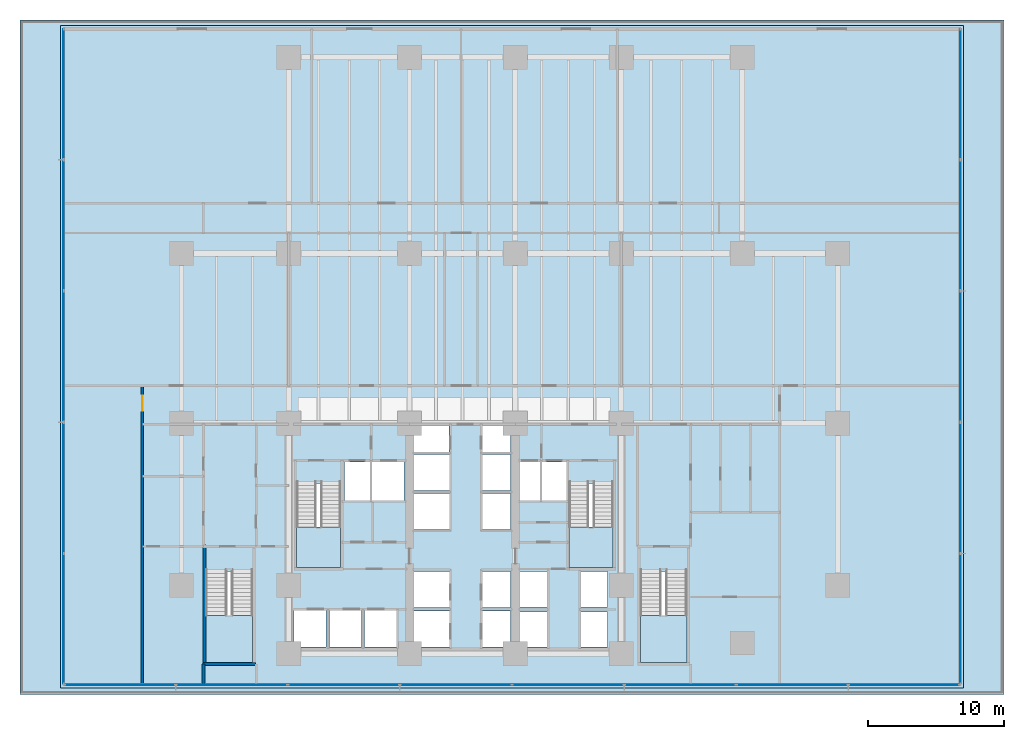
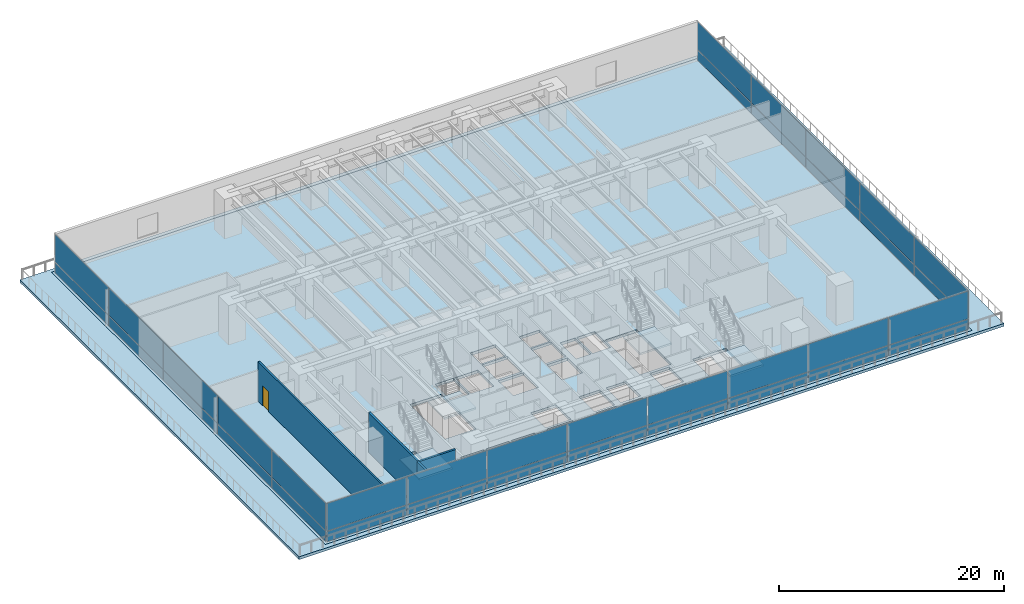
# One storey, part 8 of 24: 36 plates, 6 slabs, 4 walls, 1 door, 1 opening, 7 elements without a shape of their own.
"""IFC4 building model written with IfcOpenShell, lengths in metres."""

from ifc_helpers import new_model, si_unit, direction, frame, frame_2d, origin, origin_2d, place, context, subcontext, project, spatial, polyline, rectangle, outline, extrude, material, layer, layer_set, type_object, element, fill, aggregate, save


model = new_model("IFC4")

# Units and contexts
model_context = context("Model", 3, precision=1e-05, world=origin(), true_north=direction((0.0, 1.0)))
body_context = subcontext(model_context, "Body", "Model", "MODEL_VIEW")
ifc_project = project(units=[si_unit("LENGTHUNIT", "METRE"), si_unit("AREAUNIT", "SQUARE_METRE"), si_unit("VOLUMEUNIT", "CUBIC_METRE"), si_unit("PLANEANGLEUNIT", "RADIAN"), si_unit("MASSUNIT", "GRAM", prefix="KILO")], contexts=[model_context])

# Site, building, storey
site_placement = place(None, origin())
site = spatial("IfcSite", under=ifc_project, at=site_placement, CompositionType="ELEMENT")
building_placement = place(site_placement, origin())
building = spatial("IfcBuilding", under=site, at=building_placement, Name="Qalmaran Belvedere Hotel", CompositionType="ELEMENT")
storey_placement = place(building_placement, frame((0.0, 0.0, 14.60009765625)))
storey = spatial("IfcBuildingStorey", under=building, at=storey_placement, Name="L03", CompositionType="ELEMENT", Elevation=14.60009765625)

# Curtain wall, plates
ifc_material_1 = material(Name="Anodised Bronze Aluminium", Category="aluminium")
ifc_layer_1 = layer(ifc_material_1, 0.219970703125, Name="Anodised Bronze Aluminium")
ifc_layer_set_1 = layer_set([ifc_layer_1], Name="Anodised Bronze Aluminium")
curtain_wall_type = type_object("IfcCurtainWallType", Name="CW1-PODIUM-BRONZE", PredefinedType="NOTDEFINED", material=ifc_layer_set_1)
curtain_wall_1_placement = place(storey_placement, origin())
curtain_wall_1 = element("IfcCurtainWall", 1, at=curtain_wall_1_placement, inside=storey, type_object=curtain_wall_type, Name="L03 Curtain Wall CW1", PredefinedType="NOTDEFINED")
ifc_material_2 = material(Name="Anodised Bronze Spandrel Panel")
ifc_layer_2 = layer(ifc_material_2, 0.035888671875, Name="Anodised Bronze Spandrel Panel")
ifc_layer_set_2 = layer_set([ifc_layer_2], Name="Anodised Bronze Spandrel Panel")
plate_type_1 = type_object("IfcPlateType", Name="CWP-SPANDREL-36", PredefinedType="CURTAIN_PANEL", material=ifc_layer_set_2)
plate_1_placement = place(storey_placement, frame((7.867431640625, 1.219970703125, 0.06982421875), z_axis=(0.0, 0.0, 1.0), x_axis=(1.0, 0.0, 0.0)))
plate_1 = element("IfcPlate", 2, at=plate_1_placement, type_object=plate_type_1, Name="CW1 panel 1.1", PredefinedType="CURTAIN_PANEL", context=body_context, shape_type="SweptSolid", body=[
    extrude(rectangle(XDim=8.14501953125, YDim=0.035888671875, at=origin_2d()), origin(), (0.0, 0.0, 1.0), 1.09912109375),
])
plate_2_placement = place(storey_placement, frame((16.106201171875, 1.219970703125, 0.06982421875), z_axis=(0.0, 0.0, 1.0), x_axis=(1.0, 0.0, 0.0)))
plate_2 = element("IfcPlate", 3, at=plate_2_placement, type_object=plate_type_1, Name="CW1 panel 2.1", PredefinedType="CURTAIN_PANEL", context=body_context, shape_type="SweptSolid", body=[
    extrude(rectangle(XDim=8.1826171875, YDim=0.035888671875, at=origin_2d()), origin(), (0.0, 0.0, 1.0), 1.09912109375),
])
plate_3_placement = place(storey_placement, frame((24.36376953125, 1.219970703125, 0.06982421875), z_axis=(0.0, 0.0, 1.0), x_axis=(1.0, 0.0, 0.0)))
plate_3 = element("IfcPlate", 4, at=plate_3_placement, type_object=plate_type_1, Name="CW1 panel 3.1", PredefinedType="CURTAIN_PANEL", context=body_context, shape_type="SweptSolid", body=[
    extrude(rectangle(XDim=8.1826171875, YDim=0.035888671875, at=origin_2d()), origin(), (0.0, 0.0, 1.0), 1.09912109375),
])
plate_4_placement = place(storey_placement, frame((32.621337890625, 1.219970703125, 0.06982421875), z_axis=(0.0, 0.0, 1.0), x_axis=(1.0, 0.0, 0.0)))
plate_4 = element("IfcPlate", 5, at=plate_4_placement, type_object=plate_type_1, Name="CW1 panel 4.1", PredefinedType="CURTAIN_PANEL", context=body_context, shape_type="SweptSolid", body=[
    extrude(rectangle(XDim=8.1826171875, YDim=0.035888671875, at=origin_2d()), origin(), (0.0, 0.0, 1.0), 1.09912109375),
])
plate_5_placement = place(storey_placement, frame((40.878662109375, 1.219970703125, 0.06982421875), z_axis=(0.0, 0.0, 1.0), x_axis=(1.0, 0.0, 0.0)))
plate_5 = element("IfcPlate", 6, at=plate_5_placement, type_object=plate_type_1, Name="CW1 panel 5.1", PredefinedType="CURTAIN_PANEL", context=body_context, shape_type="SweptSolid", body=[
    extrude(rectangle(XDim=8.1826171875, YDim=0.035888671875, at=origin_2d()), origin(), (0.0, 0.0, 1.0), 1.09912109375),
])
plate_6_placement = place(storey_placement, frame((49.13623046875, 1.219970703125, 0.06982421875), z_axis=(0.0, 0.0, 1.0), x_axis=(1.0, 0.0, 0.0)))
plate_6 = element("IfcPlate", 7, at=plate_6_placement, type_object=plate_type_1, Name="CW1 panel 6.1", PredefinedType="CURTAIN_PANEL", context=body_context, shape_type="SweptSolid", body=[
    extrude(rectangle(XDim=8.1826171875, YDim=0.035888671875, at=origin_2d()), origin(), (0.0, 0.0, 1.0), 1.09912109375),
])
plate_7_placement = place(storey_placement, frame((57.393798828125, 1.219970703125, 0.06982421875), z_axis=(0.0, 0.0, 1.0), x_axis=(1.0, 0.0, 0.0)))
plate_7 = element("IfcPlate", 8, at=plate_7_placement, type_object=plate_type_1, Name="CW1 panel 7.1", PredefinedType="CURTAIN_PANEL", context=body_context, shape_type="SweptSolid", body=[
    extrude(rectangle(XDim=8.1826171875, YDim=0.035888671875, at=origin_2d()), origin(), (0.0, 0.0, 1.0), 1.09912109375),
])
plate_8_placement = place(storey_placement, frame((65.632568359375, 1.219970703125, 0.06982421875), z_axis=(0.0, 0.0, 1.0), x_axis=(1.0, 0.0, 0.0)))
plate_8 = element("IfcPlate", 9, at=plate_8_placement, type_object=plate_type_1, Name="CW1 panel 8.1", PredefinedType="CURTAIN_PANEL", context=body_context, shape_type="SweptSolid", body=[
    extrude(rectangle(XDim=8.14501953125, YDim=0.035888671875, at=origin_2d()), origin(), (0.0, 0.0, 1.0), 1.09912109375),
])

curtain_wall_2_placement = place(storey_placement, origin())
curtain_wall_2 = element("IfcCurtainWall", 10, at=curtain_wall_2_placement, inside=storey, type_object=curtain_wall_type, Name="L03 Curtain Wall CW1", PredefinedType="NOTDEFINED")
plate_9_placement = place(storey_placement, frame((69.780029296875, 6.07470703125, 0.06982421875), z_axis=(0.0, 0.0, 1.0), x_axis=(0.0, 1.0, 0.0)))
plate_9 = element("IfcPlate", 11, at=plate_9_placement, type_object=plate_type_1, Name="CW1 panel 1.1", PredefinedType="CURTAIN_PANEL", context=body_context, shape_type="SweptSolid", body=[
    extrude(rectangle(XDim=9.5595703125, YDim=0.035888671875, at=origin_2d()), origin(), (0.0, 0.0, 1.0), 1.09912109375),
])
plate_10_placement = place(storey_placement, frame((69.780029296875, 15.72802734375, 0.06982421875), z_axis=(0.0, 0.0, 1.0), x_axis=(0.0, 1.0, 0.0)))
plate_10 = element("IfcPlate", 12, at=plate_10_placement, type_object=plate_type_1, Name="CW1 panel 2.1", PredefinedType="CURTAIN_PANEL", context=body_context, shape_type="SweptSolid", body=[
    extrude(rectangle(XDim=9.596923828125, YDim=0.035888671875, at=origin_2d()), origin(), (0.0, 0.0, 1.0), 1.09912109375),
])
plate_11_placement = place(storey_placement, frame((69.780029296875, 25.39990234375, 0.06982421875), z_axis=(0.0, 0.0, 1.0), x_axis=(0.0, 1.0, 0.0)))
plate_11 = element("IfcPlate", 13, at=plate_11_placement, type_object=plate_type_1, Name="CW1 panel 3.1", PredefinedType="CURTAIN_PANEL", context=body_context, shape_type="SweptSolid", body=[
    extrude(rectangle(XDim=9.596923828125, YDim=0.035888671875, at=origin_2d()), origin(), (0.0, 0.0, 1.0), 1.09912109375),
])
plate_12_placement = place(storey_placement, frame((69.780029296875, 35.072021484375, 0.06982421875), z_axis=(0.0, 0.0, 1.0), x_axis=(0.0, 1.0, 0.0)))
plate_12 = element("IfcPlate", 14, at=plate_12_placement, type_object=plate_type_1, Name="CW1 panel 4.1", PredefinedType="CURTAIN_PANEL", context=body_context, shape_type="SweptSolid", body=[
    extrude(rectangle(XDim=9.596923828125, YDim=0.035888671875, at=origin_2d()), origin(), (0.0, 0.0, 1.0), 1.09912109375),
])
plate_13_placement = place(storey_placement, frame((69.780029296875, 44.725341796875, 0.06982421875), z_axis=(0.0, 0.0, 1.0), x_axis=(0.0, 1.0, 0.0)))
plate_13 = element("IfcPlate", 15, at=plate_13_placement, type_object=plate_type_1, Name="CW1 panel 5.1", PredefinedType="CURTAIN_PANEL", context=body_context, shape_type="SweptSolid", body=[
    extrude(rectangle(XDim=9.5595703125, YDim=0.035888671875, at=origin_2d()), origin(), (0.0, 0.0, 1.0), 1.09912109375),
])

curtain_wall_3_placement = place(storey_placement, origin())
curtain_wall_3 = element("IfcCurtainWall", 16, at=curtain_wall_3_placement, inside=storey, type_object=curtain_wall_type, Name="L03 Curtain Wall CW1", PredefinedType="NOTDEFINED")
plate_14_placement = place(storey_placement, frame((3.719970703125, 44.725341796875, 0.06982421875), z_axis=(0.0, 0.0, 1.0), x_axis=(0.0, -1.0, 0.0)))
plate_14 = element("IfcPlate", 17, at=plate_14_placement, type_object=plate_type_1, Name="CW1 panel 1.1", PredefinedType="CURTAIN_PANEL", context=body_context, shape_type="SweptSolid", body=[
    extrude(rectangle(XDim=9.5595703125, YDim=0.035888671875, at=origin_2d()), origin(), (0.0, 0.0, 1.0), 1.09912109375),
])
plate_15_placement = place(storey_placement, frame((3.719970703125, 35.072021484375, 0.06982421875), z_axis=(0.0, 0.0, 1.0), x_axis=(0.0, -1.0, 0.0)))
plate_15 = element("IfcPlate", 18, at=plate_15_placement, type_object=plate_type_1, Name="CW1 panel 2.1", PredefinedType="CURTAIN_PANEL", context=body_context, shape_type="SweptSolid", body=[
    extrude(rectangle(XDim=9.596923828125, YDim=0.035888671875, at=origin_2d()), origin(), (0.0, 0.0, 1.0), 1.09912109375),
])
plate_16_placement = place(storey_placement, frame((3.719970703125, 25.39990234375, 0.06982421875), z_axis=(0.0, 0.0, 1.0), x_axis=(0.0, -1.0, 0.0)))
plate_16 = element("IfcPlate", 19, at=plate_16_placement, type_object=plate_type_1, Name="CW1 panel 3.1", PredefinedType="CURTAIN_PANEL", context=body_context, shape_type="SweptSolid", body=[
    extrude(rectangle(XDim=9.596923828125, YDim=0.035888671875, at=origin_2d()), origin(), (0.0, 0.0, 1.0), 1.09912109375),
])
plate_17_placement = place(storey_placement, frame((3.719970703125, 15.72802734375, 0.06982421875), z_axis=(0.0, 0.0, 1.0), x_axis=(0.0, -1.0, 0.0)))
plate_17 = element("IfcPlate", 20, at=plate_17_placement, type_object=plate_type_1, Name="CW1 panel 4.1", PredefinedType="CURTAIN_PANEL", context=body_context, shape_type="SweptSolid", body=[
    extrude(rectangle(XDim=9.596923828125, YDim=0.035888671875, at=origin_2d()), origin(), (0.0, 0.0, 1.0), 1.09912109375),
])
plate_18_placement = place(storey_placement, frame((3.719970703125, 6.07470703125, 0.06982421875), z_axis=(0.0, 0.0, 1.0), x_axis=(0.0, -1.0, 0.0)))
plate_18 = element("IfcPlate", 21, at=plate_18_placement, type_object=plate_type_1, Name="CW1 panel 5.1", PredefinedType="CURTAIN_PANEL", context=body_context, shape_type="SweptSolid", body=[
    extrude(rectangle(XDim=9.5595703125, YDim=0.035888671875, at=origin_2d()), origin(), (0.0, 0.0, 1.0), 1.09912109375),
])

# Plate
ifc_material_3 = material(Name="Solar-Control Double Glazing", Category="glass")
ifc_layer_3 = layer(ifc_material_3, 0.028076171875, Name="Solar-Control Double Glazing")
ifc_layer_set_3 = layer_set([ifc_layer_3], Name="Solar-Control Double Glazing")
plate_type_2 = type_object("IfcPlateType", Name="CWP-VISION-28", PredefinedType="CURTAIN_PANEL", material=ifc_layer_set_3)
plate_19_placement = place(storey_placement, frame((7.867431640625, 1.219970703125, 1.23876953125), z_axis=(0.0, 0.0, 1.0), x_axis=(1.0, 0.0, 0.0)))
plate_19 = element("IfcPlate", 22, at=plate_19_placement, type_object=plate_type_2, Name="CW1 panel 1.2", PredefinedType="CURTAIN_PANEL", context=body_context, shape_type="SweptSolid", body=[
    extrude(rectangle(XDim=8.14501953125, YDim=0.028076171875, at=origin_2d()), origin(), (0.0, 0.0, 1.0), 2.990966796875),
])

plate_20_placement = place(storey_placement, frame((16.106201171875, 1.219970703125, 1.23876953125), z_axis=(0.0, 0.0, 1.0), x_axis=(1.0, 0.0, 0.0)))
plate_20 = element("IfcPlate", 23, at=plate_20_placement, type_object=plate_type_2, Name="CW1 panel 2.2", PredefinedType="CURTAIN_PANEL", context=body_context, shape_type="SweptSolid", body=[
    extrude(rectangle(XDim=8.1826171875, YDim=0.028076171875, at=origin_2d()), origin(), (0.0, 0.0, 1.0), 2.990966796875),
])

plate_21_placement = place(storey_placement, frame((24.36376953125, 1.219970703125, 1.23876953125), z_axis=(0.0, 0.0, 1.0), x_axis=(1.0, 0.0, 0.0)))
plate_21 = element("IfcPlate", 24, at=plate_21_placement, type_object=plate_type_2, Name="CW1 panel 3.2", PredefinedType="CURTAIN_PANEL", context=body_context, shape_type="SweptSolid", body=[
    extrude(rectangle(XDim=8.1826171875, YDim=0.028076171875, at=origin_2d()), origin(), (0.0, 0.0, 1.0), 2.990966796875),
])

plate_22_placement = place(storey_placement, frame((32.621337890625, 1.219970703125, 1.23876953125), z_axis=(0.0, 0.0, 1.0), x_axis=(1.0, 0.0, 0.0)))
plate_22 = element("IfcPlate", 25, at=plate_22_placement, type_object=plate_type_2, Name="CW1 panel 4.2", PredefinedType="CURTAIN_PANEL", context=body_context, shape_type="SweptSolid", body=[
    extrude(rectangle(XDim=8.1826171875, YDim=0.028076171875, at=origin_2d()), origin(), (0.0, 0.0, 1.0), 2.990966796875),
])

plate_23_placement = place(storey_placement, frame((40.878662109375, 1.219970703125, 1.23876953125), z_axis=(0.0, 0.0, 1.0), x_axis=(1.0, 0.0, 0.0)))
plate_23 = element("IfcPlate", 26, at=plate_23_placement, type_object=plate_type_2, Name="CW1 panel 5.2", PredefinedType="CURTAIN_PANEL", context=body_context, shape_type="SweptSolid", body=[
    extrude(rectangle(XDim=8.1826171875, YDim=0.028076171875, at=origin_2d()), origin(), (0.0, 0.0, 1.0), 2.990966796875),
])

plate_24_placement = place(storey_placement, frame((49.13623046875, 1.219970703125, 1.23876953125), z_axis=(0.0, 0.0, 1.0), x_axis=(1.0, 0.0, 0.0)))
plate_24 = element("IfcPlate", 27, at=plate_24_placement, type_object=plate_type_2, Name="CW1 panel 6.2", PredefinedType="CURTAIN_PANEL", context=body_context, shape_type="SweptSolid", body=[
    extrude(rectangle(XDim=8.1826171875, YDim=0.028076171875, at=origin_2d()), origin(), (0.0, 0.0, 1.0), 2.990966796875),
])

plate_25_placement = place(storey_placement, frame((57.393798828125, 1.219970703125, 1.23876953125), z_axis=(0.0, 0.0, 1.0), x_axis=(1.0, 0.0, 0.0)))
plate_25 = element("IfcPlate", 28, at=plate_25_placement, type_object=plate_type_2, Name="CW1 panel 7.2", PredefinedType="CURTAIN_PANEL", context=body_context, shape_type="SweptSolid", body=[
    extrude(rectangle(XDim=8.1826171875, YDim=0.028076171875, at=origin_2d()), origin(), (0.0, 0.0, 1.0), 2.990966796875),
])

plate_26_placement = place(storey_placement, frame((65.632568359375, 1.219970703125, 1.23876953125), z_axis=(0.0, 0.0, 1.0), x_axis=(1.0, 0.0, 0.0)))
plate_26 = element("IfcPlate", 29, at=plate_26_placement, type_object=plate_type_2, Name="CW1 panel 8.2", PredefinedType="CURTAIN_PANEL", context=body_context, shape_type="SweptSolid", body=[
    extrude(rectangle(XDim=8.14501953125, YDim=0.028076171875, at=origin_2d()), origin(), (0.0, 0.0, 1.0), 2.990966796875),
])

aggregate(curtain_wall_1, [plate_1, plate_19, plate_2, plate_20, plate_3, plate_21, plate_4, plate_22, plate_5, plate_23, plate_6, plate_24, plate_7, plate_25, plate_8, plate_26])

plate_27_placement = place(storey_placement, frame((69.780029296875, 6.07470703125, 1.23876953125), z_axis=(0.0, 0.0, 1.0), x_axis=(0.0, 1.0, 0.0)))
plate_27 = element("IfcPlate", 30, at=plate_27_placement, type_object=plate_type_2, Name="CW1 panel 1.2", PredefinedType="CURTAIN_PANEL", context=body_context, shape_type="SweptSolid", body=[
    extrude(rectangle(XDim=9.5595703125, YDim=0.028076171875, at=origin_2d()), origin(), (0.0, 0.0, 1.0), 2.990966796875),
])

plate_28_placement = place(storey_placement, frame((69.780029296875, 15.72802734375, 1.23876953125), z_axis=(0.0, 0.0, 1.0), x_axis=(0.0, 1.0, 0.0)))
plate_28 = element("IfcPlate", 31, at=plate_28_placement, type_object=plate_type_2, Name="CW1 panel 2.2", PredefinedType="CURTAIN_PANEL", context=body_context, shape_type="SweptSolid", body=[
    extrude(rectangle(XDim=9.596923828125, YDim=0.028076171875, at=origin_2d()), origin(), (0.0, 0.0, 1.0), 2.990966796875),
])

plate_29_placement = place(storey_placement, frame((69.780029296875, 25.39990234375, 1.23876953125), z_axis=(0.0, 0.0, 1.0), x_axis=(0.0, 1.0, 0.0)))
plate_29 = element("IfcPlate", 32, at=plate_29_placement, type_object=plate_type_2, Name="CW1 panel 3.2", PredefinedType="CURTAIN_PANEL", context=body_context, shape_type="SweptSolid", body=[
    extrude(rectangle(XDim=9.596923828125, YDim=0.028076171875, at=origin_2d()), origin(), (0.0, 0.0, 1.0), 2.990966796875),
])

plate_30_placement = place(storey_placement, frame((69.780029296875, 35.072021484375, 1.23876953125), z_axis=(0.0, 0.0, 1.0), x_axis=(0.0, 1.0, 0.0)))
plate_30 = element("IfcPlate", 33, at=plate_30_placement, type_object=plate_type_2, Name="CW1 panel 4.2", PredefinedType="CURTAIN_PANEL", context=body_context, shape_type="SweptSolid", body=[
    extrude(rectangle(XDim=9.596923828125, YDim=0.028076171875, at=origin_2d()), origin(), (0.0, 0.0, 1.0), 2.990966796875),
])

plate_31_placement = place(storey_placement, frame((69.780029296875, 44.725341796875, 1.23876953125), z_axis=(0.0, 0.0, 1.0), x_axis=(0.0, 1.0, 0.0)))
plate_31 = element("IfcPlate", 34, at=plate_31_placement, type_object=plate_type_2, Name="CW1 panel 5.2", PredefinedType="CURTAIN_PANEL", context=body_context, shape_type="SweptSolid", body=[
    extrude(rectangle(XDim=9.5595703125, YDim=0.028076171875, at=origin_2d()), origin(), (0.0, 0.0, 1.0), 2.990966796875),
])

aggregate(curtain_wall_2, [plate_9, plate_27, plate_10, plate_28, plate_11, plate_29, plate_12, plate_30, plate_13, plate_31])

plate_32_placement = place(storey_placement, frame((3.719970703125, 44.725341796875, 1.23876953125), z_axis=(0.0, 0.0, 1.0), x_axis=(0.0, -1.0, 0.0)))
plate_32 = element("IfcPlate", 35, at=plate_32_placement, type_object=plate_type_2, Name="CW1 panel 1.2", PredefinedType="CURTAIN_PANEL", context=body_context, shape_type="SweptSolid", body=[
    extrude(rectangle(XDim=9.5595703125, YDim=0.028076171875, at=origin_2d()), origin(), (0.0, 0.0, 1.0), 2.990966796875),
])

plate_33_placement = place(storey_placement, frame((3.719970703125, 35.072021484375, 1.23876953125), z_axis=(0.0, 0.0, 1.0), x_axis=(0.0, -1.0, 0.0)))
plate_33 = element("IfcPlate", 36, at=plate_33_placement, type_object=plate_type_2, Name="CW1 panel 2.2", PredefinedType="CURTAIN_PANEL", context=body_context, shape_type="SweptSolid", body=[
    extrude(rectangle(XDim=9.596923828125, YDim=0.028076171875, at=origin_2d()), origin(), (0.0, 0.0, 1.0), 2.990966796875),
])

plate_34_placement = place(storey_placement, frame((3.719970703125, 25.39990234375, 1.23876953125), z_axis=(0.0, 0.0, 1.0), x_axis=(0.0, -1.0, 0.0)))
plate_34 = element("IfcPlate", 37, at=plate_34_placement, type_object=plate_type_2, Name="CW1 panel 3.2", PredefinedType="CURTAIN_PANEL", context=body_context, shape_type="SweptSolid", body=[
    extrude(rectangle(XDim=9.596923828125, YDim=0.028076171875, at=origin_2d()), origin(), (0.0, 0.0, 1.0), 2.990966796875),
])

plate_35_placement = place(storey_placement, frame((3.719970703125, 15.72802734375, 1.23876953125), z_axis=(0.0, 0.0, 1.0), x_axis=(0.0, -1.0, 0.0)))
plate_35 = element("IfcPlate", 38, at=plate_35_placement, type_object=plate_type_2, Name="CW1 panel 4.2", PredefinedType="CURTAIN_PANEL", context=body_context, shape_type="SweptSolid", body=[
    extrude(rectangle(XDim=9.596923828125, YDim=0.028076171875, at=origin_2d()), origin(), (0.0, 0.0, 1.0), 2.990966796875),
])

plate_36_placement = place(storey_placement, frame((3.719970703125, 6.07470703125, 1.23876953125), z_axis=(0.0, 0.0, 1.0), x_axis=(0.0, -1.0, 0.0)))
plate_36 = element("IfcPlate", 39, at=plate_36_placement, type_object=plate_type_2, Name="CW1 panel 5.2", PredefinedType="CURTAIN_PANEL", context=body_context, shape_type="SweptSolid", body=[
    extrude(rectangle(XDim=9.5595703125, YDim=0.028076171875, at=origin_2d()), origin(), (0.0, 0.0, 1.0), 2.990966796875),
])

aggregate(curtain_wall_3, [plate_14, plate_32, plate_15, plate_33, plate_16, plate_34, plate_17, plate_35, plate_18, plate_36])

# Slab
ifc_material_4 = material(Name="Concrete C40/50", Category="concrete")
ifc_layer_4 = layer(ifc_material_4, 0.300048828125, Name="Concrete C40/50")
ifc_layer_set_4 = layer_set([ifc_layer_4], Name="Concrete C40/50")
slab_type_1 = type_object("IfcSlabType", Name="SLB-POD-300", PredefinedType="FLOOR", material=ifc_layer_set_4)
slab_1_placement = place(storey_placement, frame((0.0, 0.0, -0.300048828125)))
element("IfcSlab", 40, at=slab_1_placement, inside=storey, type_object=slab_type_1, Name="L03 Structural Floor Slab", PredefinedType="FLOOR", context=body_context, shape_type="SweptSolid", body=[
    extrude(outline(polyline([(3.5, 1.0), (70.0, 1.0), (70.0, 49.800048828125), (3.5, 49.800048828125), (3.5, 1.0)]), holes=[polyline([(20.8798828125, 9.85009765625), (24.1201171875, 9.85009765625), (24.1201171875, 16.0400390625), (20.8798828125, 16.0400390625), (20.8798828125, 9.85009765625)]), polyline([(40.9599609375, 9.85009765625), (44.199951171875, 9.85009765625), (44.199951171875, 16.0400390625), (40.9599609375, 16.0400390625), (40.9599609375, 9.85009765625)]), polyline([(14.199951171875, 2.85009765625), (17.639892578125, 2.85009765625), (17.639892578125, 9.550048828125), (14.199951171875, 9.550048828125), (14.199951171875, 2.85009765625)]), polyline([(46.199951171875, 2.85009765625), (49.639892578125, 2.85009765625), (49.639892578125, 9.550048828125), (46.199951171875, 9.550048828125), (46.199951171875, 2.85009765625)]), polyline([(29.544921875, 4.0), (32.14990234375, 4.0), (32.14990234375, 6.64990234375), (29.544921875, 6.64990234375), (29.544921875, 4.0)]), polyline([(29.544921875, 6.89990234375), (32.14990234375, 6.89990234375), (32.14990234375, 9.550048828125), (29.544921875, 9.550048828125), (29.544921875, 6.89990234375)]), polyline([(34.550048828125, 4.0), (36.655029296875, 4.0), (36.655029296875, 6.64990234375), (34.550048828125, 6.64990234375), (34.550048828125, 4.0)]), polyline([(34.550048828125, 6.89990234375), (36.655029296875, 6.89990234375), (36.655029296875, 9.550048828125), (34.550048828125, 9.550048828125), (34.550048828125, 6.89990234375)]), polyline([(29.544921875, 12.64990234375), (32.14990234375, 12.64990234375), (32.14990234375, 15.300048828125), (29.544921875, 15.300048828125), (29.544921875, 12.64990234375)]), polyline([(29.544921875, 15.550048828125), (32.14990234375, 15.550048828125), (32.14990234375, 18.199951171875), (29.544921875, 18.199951171875), (29.544921875, 15.550048828125)]), polyline([(34.550048828125, 12.64990234375), (36.655029296875, 12.64990234375), (36.655029296875, 15.300048828125), (34.550048828125, 15.300048828125), (34.550048828125, 12.64990234375)]), polyline([(34.550048828125, 15.550048828125), (36.655029296875, 15.550048828125), (36.655029296875, 18.199951171875), (34.550048828125, 18.199951171875), (34.550048828125, 15.550048828125)]), polyline([(37.300048828125, 4.0), (39.35009765625, 4.0), (39.35009765625, 6.60009765625), (37.300048828125, 6.60009765625), (37.300048828125, 4.0)]), polyline([(37.300048828125, 6.949951171875), (39.35009765625, 6.949951171875), (39.35009765625, 9.550048828125), (37.300048828125, 9.550048828125), (37.300048828125, 6.949951171875)]), polyline([(41.800048828125, 4.0), (43.800048828125, 4.0), (43.800048828125, 6.60009765625), (41.800048828125, 6.60009765625), (41.800048828125, 4.0)]), polyline([(41.800048828125, 6.949951171875), (43.800048828125, 6.949951171875), (43.800048828125, 9.550048828125), (41.800048828125, 9.550048828125), (41.800048828125, 6.949951171875)]), polyline([(20.699951171875, 4.0), (23.050048828125, 4.0), (23.050048828125, 6.699951171875), (20.699951171875, 6.699951171875), (20.699951171875, 4.0)]), polyline([(23.300048828125, 4.0), (25.64990234375, 4.0), (25.64990234375, 6.699951171875), (23.300048828125, 6.699951171875), (23.300048828125, 4.0)]), polyline([(25.89990234375, 4.0), (28.25, 4.0), (28.25, 6.699951171875), (25.89990234375, 6.699951171875), (25.89990234375, 4.0)]), polyline([(24.39990234375, 14.800048828125), (26.300048828125, 14.800048828125), (26.300048828125, 17.64990234375), (24.39990234375, 17.64990234375), (24.39990234375, 14.800048828125)]), polyline([(38.949951171875, 14.800048828125), (40.820068359375, 14.800048828125), (40.820068359375, 17.64990234375), (38.949951171875, 17.64990234375), (38.949951171875, 14.800048828125)]), polyline([(26.449951171875, 14.800048828125), (28.800048828125, 14.800048828125), (28.800048828125, 17.64990234375), (26.449951171875, 17.64990234375), (26.449951171875, 14.800048828125)]), polyline([(37.25, 14.800048828125), (38.800048828125, 14.800048828125), (38.800048828125, 17.64990234375), (37.25, 17.64990234375), (37.25, 14.800048828125)]), polyline([(29.544921875, 18.3798828125), (32.1201171875, 18.3798828125), (32.1201171875, 20.300048828125), (29.544921875, 20.300048828125), (29.544921875, 18.3798828125)]), polyline([(34.580078125, 18.3798828125), (36.655029296875, 18.3798828125), (36.655029296875, 20.300048828125), (34.580078125, 20.300048828125), (34.580078125, 18.3798828125)])]), origin(), (0.0, 0.0, 1.0), 0.300048828125),
])

# Stair, slab
stair_type_1 = type_object("IfcStairType", Name="STR-ST-1-1450-R1769", PredefinedType="HALF_TURN_STAIR", material=ifc_material_4)
stair_1_placement = place(storey_placement, origin())
stair_1 = element("IfcStair", 41, at=stair_1_placement, inside=storey, type_object=stair_type_1, Name="L03 West Core Exit Stair ST-1", PredefinedType="HALF_TURN_STAIR")
ifc_layer_5 = layer(ifc_material_4, 0.199951171875, Name="Concrete C40/50")
ifc_layer_set_5 = layer_set([ifc_layer_5], Name="Concrete C40/50")
slab_type_2 = type_object("IfcSlabType", Name="SLB-STAIR-LANDING-200", PredefinedType="LANDING", material=ifc_layer_set_5)
slab_2_placement = place(storey_placement, frame((0.0, 0.0, 2.099853515625)))
slab_2 = element("IfcSlab", 42, at=slab_2_placement, type_object=slab_type_2, Name="ST-1 landing 1", PredefinedType="LANDING", context=body_context, shape_type="SweptSolid", body=[
    extrude(outline(polyline([(20.8798828125, 12.830078125), (20.8798828125, 9.85009765625), (24.1201171875, 9.85009765625), (24.1201171875, 12.830078125), (20.8798828125, 12.830078125)])), origin(), (0.0, 0.0, 1.0), 0.199951171875),
])
aggregate(stair_1, [slab_2])

stair_type_2 = type_object("IfcStairType", Name="STR-ST-2-1450-R1769", PredefinedType="HALF_TURN_STAIR", material=ifc_material_4)
stair_2_placement = place(storey_placement, origin())
stair_2 = element("IfcStair", 43, at=stair_2_placement, inside=storey, type_object=stair_type_2, Name="L03 East Core Exit Stair ST-2", PredefinedType="HALF_TURN_STAIR")
slab_3_placement = place(storey_placement, frame((0.0, 0.0, 2.099853515625)))
slab_3 = element("IfcSlab", 44, at=slab_3_placement, type_object=slab_type_2, Name="ST-2 landing 1", PredefinedType="LANDING", context=body_context, shape_type="SweptSolid", body=[
    extrude(outline(polyline([(40.9599609375, 12.830078125), (40.9599609375, 9.85009765625), (44.199951171875, 9.85009765625), (44.199951171875, 12.830078125), (40.9599609375, 12.830078125)])), origin(), (0.0, 0.0, 1.0), 0.199951171875),
])
aggregate(stair_2, [slab_3])

stair_type_3 = type_object("IfcStairType", Name="STR-ST-P1-1550-R1769", PredefinedType="HALF_TURN_STAIR", material=ifc_material_4)
stair_3_placement = place(storey_placement, origin())
stair_3 = element("IfcStair", 45, at=stair_3_placement, inside=storey, type_object=stair_type_3, Name="L03 West Podium Exit Stair ST-P1", PredefinedType="HALF_TURN_STAIR")
slab_4_placement = place(storey_placement, frame((0.0, 0.0, 2.099853515625)))
slab_4 = element("IfcSlab", 46, at=slab_4_placement, type_object=slab_type_2, Name="ST-P1 landing 1", PredefinedType="LANDING", context=body_context, shape_type="SweptSolid", body=[
    extrude(outline(polyline([(14.199951171875, 6.340087890625), (14.199951171875, 2.85009765625), (17.639892578125, 2.85009765625), (17.639892578125, 6.340087890625), (14.199951171875, 6.340087890625)])), origin(), (0.0, 0.0, 1.0), 0.199951171875),
])
aggregate(stair_3, [slab_4])

stair_type_4 = type_object("IfcStairType", Name="STR-ST-P2-1550-R1769", PredefinedType="HALF_TURN_STAIR", material=ifc_material_4)
stair_4_placement = place(storey_placement, origin())
stair_4 = element("IfcStair", 47, at=stair_4_placement, inside=storey, type_object=stair_type_4, Name="L03 East Podium Exit Stair ST-P2", PredefinedType="HALF_TURN_STAIR")
slab_5_placement = place(storey_placement, frame((0.0, 0.0, 2.099853515625)))
slab_5 = element("IfcSlab", 48, at=slab_5_placement, type_object=slab_type_2, Name="ST-P2 landing 1", PredefinedType="LANDING", context=body_context, shape_type="SweptSolid", body=[
    extrude(outline(polyline([(46.199951171875, 6.340087890625), (46.199951171875, 2.85009765625), (49.639892578125, 2.85009765625), (49.639892578125, 6.340087890625), (46.199951171875, 6.340087890625)])), origin(), (0.0, 0.0, 1.0), 0.199951171875),
])
aggregate(stair_4, [slab_5])

# Slab
ifc_layer_6 = layer(ifc_material_4, 0.300048828125, Name="Concrete C40/50")
ifc_layer_set_6 = layer_set([ifc_layer_6], Name="Concrete C40/50")
slab_type_3 = type_object("IfcSlabType", Name="SLB-TER-300", PredefinedType="ROOF", material=ifc_layer_set_6)
slab_6_placement = place(storey_placement, frame((0.0, 0.0, -0.300048828125)))
element("IfcSlab", 49, at=slab_6_placement, inside=storey, type_object=slab_type_3, Name="L03 Podium Roof Terrace 1", PredefinedType="ROOF", context=body_context, shape_type="SweptSolid", body=[
    extrude(outline(polyline([(0.5, 50.199951171875), (73.0, 50.199951171875), (73.0, 0.5), (0.5, 0.5), (0.5, 50.199951171875)]), holes=[polyline([(70.0, 1.0), (70.0, 49.800048828125), (3.5, 49.800048828125), (3.5, 1.0), (70.0, 1.0)])]), origin(), (0.0, 0.0, 1.0), 0.300048828125),
])

# Wall, opening, door
ifc_material_5 = material(Name="Gypsum Stud Partition")
ifc_layer_7 = layer(ifc_material_5, 0.179931640625, Name="Gypsum Stud Partition")
ifc_layer_set_7 = layer_set([ifc_layer_7], Name="Gypsum Stud Partition")
wall_type_1 = type_object("IfcWallType", Name="WL-INT-180-EI60", PredefinedType="PARTITIONING", material=ifc_layer_set_7)
wall_1_placement = place(storey_placement, frame((9.52001953125, 1.219970703125, 0.0), z_axis=(0.0, 0.0, 1.0), x_axis=(0.0, 1.0, 0.0)))
wall_1 = element("IfcWall", 50, at=wall_1_placement, inside=storey, type_object=wall_type_1, Name="L03 Partition WL-L03-WCW", PredefinedType="PARTITIONING", context=body_context, shape_type="SweptSolid", body=[
    extrude(rectangle(XDim=22.030029296875, YDim=0.179931640625, at=frame_2d((11.01513671875, 0.0))), origin(), (0.0, 0.0, 1.0), 4.2998046875),
])
opening_placement = place(wall_1_placement, frame((20.179931640625, 0.0, 0.0)))
opening = element("IfcOpeningElement", 51, at=opening_placement, cuts=wall_1, Name="Opening FD90", PredefinedType="OPENING", context=body_context, shape_type="SweptSolid", body=[
    extrude(rectangle(XDim=1.10009765625, YDim=2.14990234375, at=frame_2d((0.550048828125, 1.074951171875))), frame((0.0, 0.10009765625, 0.0), z_axis=(0.0, -1.0, 0.0), x_axis=(1.0, 0.0, 0.0)), (0.0, 0.0, 1.0), 0.199951171875),
])
ifc_material_6 = material(Name="Steel S355JR", Category="steel")
door_type = type_object("IfcDoorType", Name="DR-FD90-1100X2150", OperationType="NOTDEFINED", PredefinedType="DOOR", material=ifc_material_6)
door_placement = place(opening_placement, origin())
door = element("IfcDoor", 52, at=door_placement, inside=storey, type_object=door_type, Name="L03 West Wing Door", OperationType="SINGLE_SWING_RIGHT", OverallHeight=2.14990234375, OverallWidth=1.10009765625, PredefinedType="DOOR", context=body_context, shape_type="SweptSolid", body=[
    extrude(rectangle(XDim=1.10009765625, YDim=2.14990234375, at=frame_2d((0.550048828125, 1.074951171875))), frame((0.0, 0.02490234375, 0.0), z_axis=(0.0, -1.0, 0.0), x_axis=(1.0, 0.0, 0.0)), (0.0, 0.0, 1.0), 0.050048828125),
])
fill(opening, door)

# Walls
ifc_material_7 = material(Name="Concrete C30/37 Blockwork", Category="masonry")
ifc_layer_8 = layer(ifc_material_7, 0.199951171875, Name="Concrete C30/37 Blockwork")
ifc_layer_set_8 = layer_set([ifc_layer_8], Name="Concrete C30/37 Blockwork")
wall_type_2 = type_object("IfcWallType", Name="WL-INT-200-EI120", PredefinedType="PARTITIONING", material=ifc_layer_set_8)
wall_2_placement = place(storey_placement, frame((14.02001953125, 1.219970703125, 0.0), z_axis=(0.0, 0.0, 1.0), x_axis=(0.0, 1.0, 0.0)))
element("IfcWall", 53, at=wall_2_placement, inside=storey, type_object=wall_type_2, Name="L03 Partition WL-L03-STPWS", PredefinedType="PARTITIONING", context=body_context, shape_type="SweptSolid", body=[
    extrude(rectangle(XDim=1.530029296875, YDim=0.199951171875, at=frame_2d((0.76513671875, 0.0))), origin(), (0.0, 0.0, 1.0), 4.2998046875),
])
ifc_material_8 = material(Name="Concrete C50/60", Category="concrete")
ifc_layer_9 = layer(ifc_material_8, 0.2099609375, Name="Concrete C50/60")
ifc_layer_set_9 = layer_set([ifc_layer_9], Name="Concrete C50/60")
wall_type_3 = type_object("IfcWallType", Name="WL-STAIR-210-C50", PredefinedType="SHEAR", material=ifc_layer_set_9)
wall_3_placement = place(storey_placement, frame((14.094970703125, 2.639892578125, 0.0), z_axis=(0.0, 0.0, 1.0), x_axis=(0.0, 1.0, 0.0)))
element("IfcWall", 54, at=wall_3_placement, inside=storey, type_object=wall_type_3, Name="L03 Podium Stair STP1 West Bearing Wall", PredefinedType="SHEAR", context=body_context, shape_type="SweptSolid", body=[
    extrude(rectangle(XDim=8.8701171875, YDim=0.2099609375, at=frame_2d((4.43505859375, 0.0))), origin(), (0.0, 0.0, 1.0), 4.2998046875),
])
wall_4_placement = place(storey_placement, frame((13.989990234375, 2.7451171875, 0.0), z_axis=(0.0, 0.0, 1.0), x_axis=(1.0, 0.0, 0.0)))
element("IfcWall", 55, at=wall_4_placement, inside=storey, type_object=wall_type_3, Name="L03 Podium Stair STP1 South Bearing Wall", PredefinedType="SHEAR", context=body_context, shape_type="SweptSolid", body=[
    extrude(rectangle(XDim=3.860107421875, YDim=0.2099609375, at=frame_2d((1.93017578125, 0.0))), origin(), (0.0, 0.0, 1.0), 4.2998046875),
])

save(model, "model.ifc")
